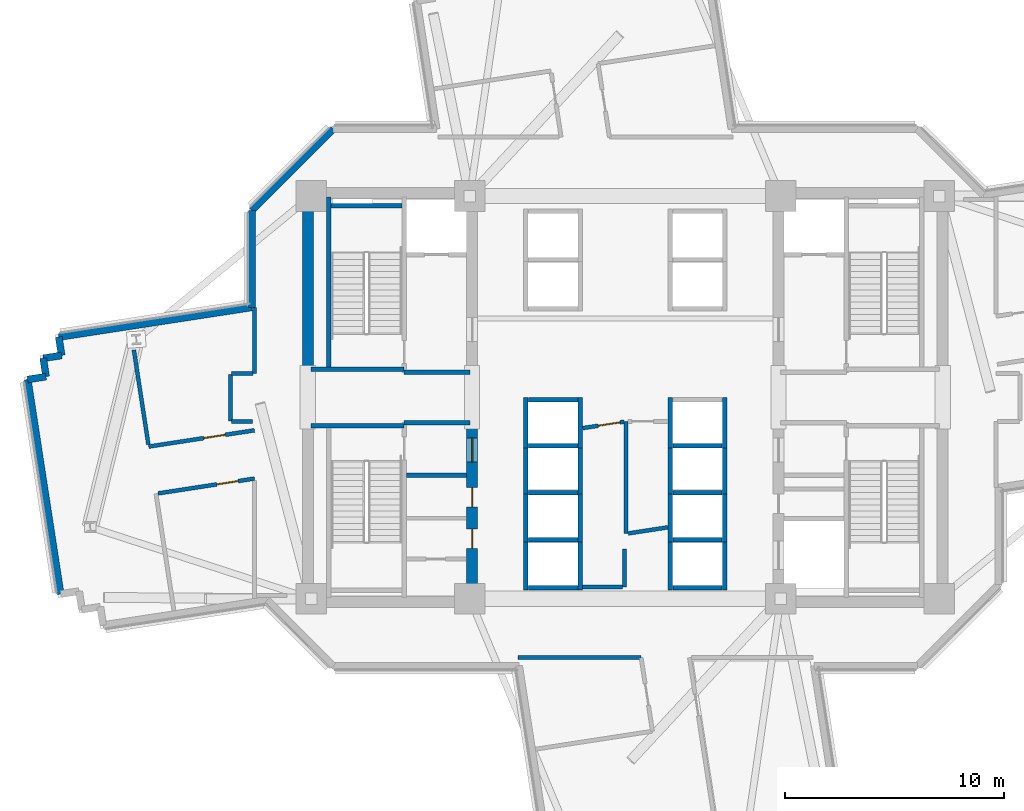
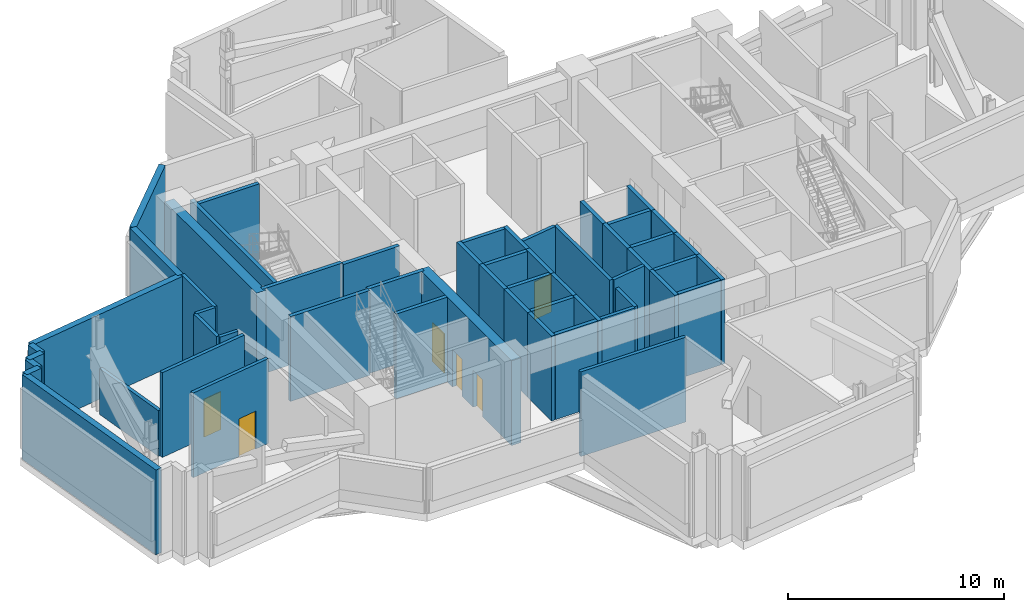
# One storey, part 3 of 10: 55 walls, 6 doors, 6 openings.
"""IFC4 building model written with IfcOpenShell, lengths in metres."""

from ifc_helpers import new_model, si_unit, direction, frame, frame_2d, origin, place, context, subcontext, project, spatial, rectangle, extrude, source, transform, mapped, material, layer, layer_set, type_object, element, fill, save


model = new_model("IFC4")

# Units and contexts
model_context = context("Model", 3, precision=1e-05, world=origin(), true_north=direction((0.0, 1.0)))
body_context = subcontext(model_context, "Body", "Model", "MODEL_VIEW")
ifc_project = project(units=[si_unit("LENGTHUNIT", "METRE"), si_unit("AREAUNIT", "SQUARE_METRE"), si_unit("VOLUMEUNIT", "CUBIC_METRE"), si_unit("PLANEANGLEUNIT", "RADIAN"), si_unit("MASSUNIT", "GRAM", prefix="KILO")], contexts=[model_context])

# Site, building, storey
site_placement = place(None, origin())
site = spatial("IfcSite", under=ifc_project, at=site_placement, CompositionType="ELEMENT")
building_placement = place(site_placement, origin())
building = spatial("IfcBuilding", under=site, at=building_placement, Name="Zahravan Cultural Tower", CompositionType="ELEMENT")
storey_placement = place(building_placement, frame((0.0, 0.0, 125.699951171875)))
storey = spatial("IfcBuildingStorey", under=building, at=storey_placement, Name="L28", CompositionType="ELEMENT", Elevation=125.699951171875)

# Wall, openings, doors
ifc_material_1 = material(Name="Concrete C60/75", Category="concrete")
ifc_layer_1 = layer(ifc_material_1, 0.5)
ifc_layer_set_1 = layer_set([ifc_layer_1], Name="Concrete C60/75")
wall_type_1 = type_object("IfcWallType", Name="CW-SHEAR-500-C60", PredefinedType="SHEAR", material=ifc_layer_set_1)
wall_1_placement = place(storey_placement, frame((29.0, 17.39990234375, 0.0), z_axis=(0.0, 0.0, 1.0), x_axis=(0.0, 1.0, 0.0)))
wall_1 = element("IfcWall", 1, at=wall_1_placement, inside=storey, type_object=wall_type_1, Name="L28 Core Shear Wall CW-W-ES-L28", PredefinedType="SHEAR", context=body_context, shape_type="SweptSolid", body=[
    extrude(rectangle(XDim=8.550048828125, YDim=0.5, at=frame_2d((4.27490234375, 0.0))), origin(), (0.0, 0.0, 1.0), 4.800048828125),
])
opening_1_placement = place(wall_1_placement, frame((6.64990234375, 0.0, 0.0)))
opening_1 = element("IfcOpeningElement", 2, at=opening_1_placement, cuts=wall_1, Name="Opening D-L28-07", PredefinedType="OPENING", context=body_context, shape_type="SweptSolid", body=[
    extrude(rectangle(XDim=1.10009765625, YDim=2.199951171875, at=frame_2d((0.550048828125, 1.10009765625))), frame((0.0, 0.260009765625, 0.0), z_axis=(0.0, -1.0, 0.0), x_axis=(1.0, 0.0, 0.0)), (0.0, 0.0, 1.0), 0.52001953125),
])
opening_2_placement = place(wall_1_placement, frame((2.699951171875, 0.0, 0.0)))
opening_2 = element("IfcOpeningElement", 3, at=opening_2_placement, cuts=wall_1, Name="Opening D-L28-10", PredefinedType="OPENING", context=body_context, shape_type="SweptSolid", body=[
    extrude(rectangle(XDim=0.8798828125, YDim=2.10009765625, at=frame_2d((0.43994140625, 1.050048828125))), frame((0.0, 0.260009765625, 0.0), z_axis=(0.0, -1.0, 0.0), x_axis=(1.0, 0.0, 0.0)), (0.0, 0.0, 1.0), 0.52001953125),
])
opening_3_placement = place(wall_1_placement, frame((4.60009765625, 0.0, 0.0)))
opening_3 = element("IfcOpeningElement", 4, at=opening_3_placement, cuts=wall_1, Name="Opening D-L28-11", PredefinedType="OPENING", context=body_context, shape_type="SweptSolid", body=[
    extrude(rectangle(XDim=0.8798828125, YDim=2.10009765625, at=frame_2d((0.43994140625, 1.050048828125))), frame((0.0, 0.260009765625, 0.0), z_axis=(0.0, -1.0, 0.0), x_axis=(1.0, 0.0, 0.0)), (0.0, 0.0, 1.0), 0.52001953125),
])
ifc_material_2 = material(Name="Steel ASTM A572 Grade 50", Category="steel")
door_type_1 = type_object("IfcDoorType", Name="DR-LOBBY-1100", OperationType="NOTDEFINED", PredefinedType="DOOR", material=ifc_material_2)
shared_shape_1 = source(origin(), body_context, "Body", "SweptSolid", [
    extrude(rectangle(XDim=1.10009765625, YDim=2.199951171875, at=frame_2d((0.550048828125, 1.10009765625))), frame((0.0, 0.02490234375, 0.0), z_axis=(0.0, -1.0, 0.0), x_axis=(1.0, 0.0, 0.0)), (0.0, 0.0, 1.0), 0.050048828125),
])
door_1_placement = place(opening_1_placement, origin())
door_1 = element("IfcDoor", 5, at=door_1_placement, inside=storey, type_object=door_type_1, Name="L28 Door D-L28-07", OperationType="SINGLE_SWING_RIGHT", OverallHeight=2.199951171875, OverallWidth=1.10009765625, PredefinedType="DOOR", context=body_context, shape_type="MappedRepresentation", body=[
    mapped(shared_shape_1, transform((0.0, 0.0, 0.0), x_axis=(1.0, 0.0, 0.0), y_axis=(0.0, 1.0, 0.0), z_axis=(0.0, 0.0, 1.0), scale=1.0)),
])
fill(opening_1, door_1)
door_type_2 = type_object("IfcDoorType", Name="DR-SVC-880", OperationType="NOTDEFINED", PredefinedType="DOOR", material=ifc_material_2)
shared_shape_2 = source(origin(), body_context, "Body", "SweptSolid", [
    extrude(rectangle(XDim=0.8798828125, YDim=2.10009765625, at=frame_2d((0.43994140625, 1.050048828125))), frame((0.0, 0.02490234375, 0.0), z_axis=(0.0, -1.0, 0.0), x_axis=(1.0, 0.0, 0.0)), (0.0, 0.0, 1.0), 0.050048828125),
])
door_2_placement = place(opening_2_placement, origin())
door_2 = element("IfcDoor", 6, at=door_2_placement, inside=storey, type_object=door_type_2, Name="L28 Door D-L28-10", OperationType="SINGLE_SWING_LEFT", OverallHeight=2.10009765625, OverallWidth=0.8798828125, PredefinedType="DOOR", context=body_context, shape_type="MappedRepresentation", body=[
    mapped(shared_shape_2, transform((0.0, 0.0, 0.0), x_axis=(1.0, 0.0, 0.0), y_axis=(0.0, 1.0, 0.0), z_axis=(0.0, 0.0, 1.0), scale=1.0)),
])
fill(opening_2, door_2)
door_3_placement = place(opening_3_placement, origin())
door_3 = element("IfcDoor", 7, at=door_3_placement, inside=storey, type_object=door_type_2, Name="L28 Door D-L28-11", OperationType="SINGLE_SWING_RIGHT", OverallHeight=2.10009765625, OverallWidth=0.8798828125, PredefinedType="DOOR", context=body_context, shape_type="MappedRepresentation", body=[
    mapped(shared_shape_2, transform((0.0, 0.0, 0.0), x_axis=(1.0, 0.0, 0.0), y_axis=(0.0, 1.0, 0.0), z_axis=(0.0, 0.0, 1.0), scale=1.0)),
])
fill(opening_3, door_3)

# Wall, opening, door
ifc_material_3 = material(Name="Gypsum plasterboard partition")
ifc_layer_2 = layer(ifc_material_3, 0.179931640625)
ifc_layer_set_2 = layer_set([ifc_layer_2], Name="Gypsum plasterboard partition")
wall_type_2 = type_object("IfcWallType", Name="W-COMP-180", PredefinedType="PARTITIONING", material=ifc_layer_set_2)
wall_2_placement = place(storey_placement, frame((34.054931640625, 25.59814453125, 0.0), z_axis=(0.0, 0.0, 1.0), x_axis=(0.988392351276, 0.15192287497, 0.0)))
wall_2 = element("IfcWall", 8, at=wall_2_placement, inside=storey, type_object=wall_type_2, Name="L28 Interior Wall 072", PredefinedType="PARTITIONING", context=body_context, shape_type="SweptSolid", body=[
    extrude(rectangle(XDim=1.912353515625, YDim=0.179931640625, at=frame_2d((0.9560546875, 0.0))), origin(), (0.0, 0.0, 1.0), 4.800048828125),
])
opening_4_placement = place(wall_2_placement, frame((0.7255859375, 0.0, 0.0)))
opening_4 = element("IfcOpeningElement", 9, at=opening_4_placement, cuts=wall_2, Name="Opening D-L28-21", PredefinedType="OPENING", context=body_context, shape_type="SweptSolid", body=[
    extrude(rectangle(XDim=1.0, YDim=2.14990234375, at=frame_2d((0.5, 1.074951171875))), frame((0.0, 0.099853515625, 0.0), z_axis=(0.0, -1.0, 0.0), x_axis=(1.0, 0.0, 0.0)), (0.0, 0.0, 1.0), 0.199951171875),
])
door_type_3 = type_object("IfcDoorType", Name="DR-COMP-1000", OperationType="NOTDEFINED", PredefinedType="DOOR", material=ifc_material_2)
shared_shape_3 = source(origin(), body_context, "Body", "SweptSolid", [
    extrude(rectangle(XDim=1.0, YDim=2.14990234375, at=frame_2d((0.5, 1.074951171875))), frame((0.0, 0.02490234375, 0.0), z_axis=(0.0, -1.0, 0.0), x_axis=(1.0, 0.0, 0.0)), (0.0, 0.0, 1.0), 0.050048828125),
])
door_4_placement = place(opening_4_placement, origin())
door_4 = element("IfcDoor", 10, at=door_4_placement, inside=storey, type_object=door_type_3, Name="L28 Door D-L28-21", OperationType="SINGLE_SWING_RIGHT", OverallHeight=2.14990234375, OverallWidth=1.0, PredefinedType="DOOR", context=body_context, shape_type="MappedRepresentation", body=[
    mapped(shared_shape_3, transform((0.0, 0.0, 0.0), x_axis=(1.0, 0.0, 0.0), y_axis=(0.0, 1.0, 0.0), z_axis=(0.0, 0.0, 1.0), scale=1.0)),
])
fill(opening_4, door_4)

wall_3_placement = place(storey_placement, frame((14.6533203125, 22.615478515625, 0.0), z_axis=(0.0, 0.0, 1.0), x_axis=(0.988387518399, 0.15195431377, 0.0)))
wall_3 = element("IfcWall", 11, at=wall_3_placement, inside=storey, type_object=wall_type_2, Name="L28 Interior Wall 089", PredefinedType="PARTITIONING", context=body_context, shape_type="SweptSolid", body=[
    extrude(rectangle(XDim=4.45849609375, YDim=0.179931640625, at=frame_2d((2.229248046875, 0.0))), origin(), (0.0, 0.0, 1.0), 4.800048828125),
])
opening_5_placement = place(wall_3_placement, frame((2.71142578125, 0.0, 0.0)))
opening_5 = element("IfcOpeningElement", 12, at=opening_5_placement, cuts=wall_3, Name="Opening D-L28-17", PredefinedType="OPENING", context=body_context, shape_type="SweptSolid", body=[
    extrude(rectangle(XDim=1.0, YDim=2.14990234375, at=frame_2d((0.5, 1.074951171875))), frame((0.0, 0.099853515625, 0.0), z_axis=(0.0, -1.0, 0.0), x_axis=(1.0, 0.0, 0.0)), (0.0, 0.0, 1.0), 0.199951171875),
])
door_5_placement = place(opening_5_placement, origin())
door_5 = element("IfcDoor", 13, at=door_5_placement, inside=storey, type_object=door_type_3, Name="L28 Door D-L28-17", OperationType="SINGLE_SWING_RIGHT", OverallHeight=2.14990234375, OverallWidth=1.0, PredefinedType="DOOR", context=body_context, shape_type="MappedRepresentation", body=[
    mapped(shared_shape_3, transform((0.0, 0.0, 0.0), x_axis=(1.0, 0.0, 0.0), y_axis=(0.0, 1.0, 0.0), z_axis=(0.0, 0.0, 1.0), scale=1.0)),
])
fill(opening_5, door_5)

wall_4_placement = place(storey_placement, frame((19.06005859375, 25.49853515625, 0.0), z_axis=(0.0, 0.0, 1.0), x_axis=(-0.988384973027, -0.15197086923, 0.0)))
wall_4 = element("IfcWall", 14, at=wall_4_placement, inside=storey, type_object=wall_type_2, Name="L28 Interior Wall 098", PredefinedType="PARTITIONING", context=body_context, shape_type="SweptSolid", body=[
    extrude(rectangle(XDim=4.888671875, YDim=0.179931640625, at=frame_2d((2.4443359375, 0.0))), origin(), (0.0, 0.0, 1.0), 4.800048828125),
])
opening_6_placement = place(wall_4_placement, frame((1.353515625, 0.0, 0.0)))
opening_6 = element("IfcOpeningElement", 15, at=opening_6_placement, cuts=wall_4, Name="Opening D-L28-18", PredefinedType="OPENING", context=body_context, shape_type="SweptSolid", body=[
    extrude(rectangle(XDim=1.0, YDim=2.14990234375, at=frame_2d((0.5, 1.074951171875))), frame((0.0, 0.099853515625, 0.0), z_axis=(0.0, -1.0, 0.0), x_axis=(1.0, 0.0, 0.0)), (0.0, 0.0, 1.0), 0.199951171875),
])
door_6_placement = place(opening_6_placement, origin())
door_6 = element("IfcDoor", 16, at=door_6_placement, inside=storey, type_object=door_type_3, Name="L28 Door D-L28-18", OperationType="SINGLE_SWING_LEFT", OverallHeight=2.14990234375, OverallWidth=1.0, PredefinedType="DOOR", context=body_context, shape_type="MappedRepresentation", body=[
    mapped(shared_shape_3, transform((0.0, 0.0, 0.0), x_axis=(1.0, 0.0, 0.0), y_axis=(0.0, 1.0, 0.0), z_axis=(0.0, 0.0, 1.0), scale=1.0)),
])
fill(opening_6, door_6)

# Walls
shared_shape_4 = source(origin(), body_context, "Body", "SweptSolid", [
    extrude(rectangle(XDim=8.550048828125, YDim=0.5, at=frame_2d((4.27490234375, 0.0))), origin(), (0.0, 0.0, 1.0), 4.800048828125),
])
wall_5_placement = place(storey_placement, frame((21.5, 28.050048828125, 0.0), z_axis=(0.0, 0.0, 1.0), x_axis=(0.0, 1.0, 0.0)))
element("IfcWall", 17, at=wall_5_placement, inside=storey, type_object=wall_type_1, Name="L28 Core Shear Wall CW-W-WN-L28", PredefinedType="SHEAR", context=body_context, shape_type="MappedRepresentation", body=[
    mapped(shared_shape_4, transform((0.0, 0.0, 0.0), x_axis=(1.0, 0.0, 0.0), y_axis=(0.0, 1.0, 0.0), z_axis=(0.0, 0.0, 1.0), scale=1.0)),
])
ifc_material_4 = material(Name="Precast concrete C40/50", Category="concrete")
ifc_layer_3 = layer(ifc_material_4, 0.320068359375)
ifc_layer_set_3 = layer_set([ifc_layer_3], Name="Precast concrete C40/50")
wall_type_3 = type_object("IfcWallType", Name="EW-TC-320", PredefinedType="SOLIDWALL", material=ifc_layer_set_3)
shared_shape_5 = source(origin(), body_context, "Body", "SweptSolid", [
    extrude(rectangle(XDim=0.849853515625, YDim=0.320068359375, at=frame_2d((0.4248046875, 0.0))), origin(), (0.0, 0.0, 1.0), 4.800048828125),
])
for number, where, z_axis, x_axis, name in (
    (18, (8.6982421875, 27.821044921875, 0.0), (0.0, 0.0, 1.0), (0.98838829515, 0.1519492613, 0.0), "L28 Exterior Masonry Frame Wall 34"),
    (19, (9.538330078125, 27.9501953125, 0.0), (0.0, 0.0, 1.0), (-0.1519492613, 0.98838829515, 0.0), "L28 Exterior Masonry Frame Wall 35"),
):
    element("IfcWall", number, at=place(storey_placement, frame(where, z_axis=z_axis, x_axis=x_axis)), inside=storey, type_object=wall_type_3, Name=name, PredefinedType="SOLIDWALL", context=body_context, shape_type="MappedRepresentation", body=[
        mapped(shared_shape_5, transform((0.0, 0.0, 0.0), x_axis=(1.0, 0.0, 0.0), y_axis=(0.0, 1.0, 0.0), z_axis=(0.0, 0.0, 1.0), scale=1.0)),
    ])
shared_shape_6 = source(origin(), body_context, "Body", "SweptSolid", [
    extrude(rectangle(XDim=0.85009765625, YDim=0.320068359375, at=frame_2d((0.425048828125, 0.0))), origin(), (0.0, 0.0, 1.0), 4.800048828125),
])
for number, where, z_axis, x_axis, name in (
    (20, (9.4091796875, 28.790283203125, 0.0), (0.0, 0.0, 1.0), (0.98839492426, 0.151906134495, 0.0), "L28 Exterior Masonry Frame Wall 36"),
    (21, (10.24951171875, 28.91943359375, 0.0), (0.0, 0.0, 1.0), (-0.152229849666, 0.988345118302, 0.0), "L28 Exterior Masonry Frame Wall 37"),
):
    element("IfcWall", number, at=place(storey_placement, frame(where, z_axis=z_axis, x_axis=x_axis)), inside=storey, type_object=wall_type_3, Name=name, PredefinedType="SOLIDWALL", context=body_context, shape_type="MappedRepresentation", body=[
        mapped(shared_shape_6, transform((0.0, 0.0, 0.0), x_axis=(1.0, 0.0, 0.0), y_axis=(0.0, 1.0, 0.0), z_axis=(0.0, 0.0, 1.0), scale=1.0)),
    ])
shared_shape_7 = source(origin(), body_context, "Body", "SweptSolid", [
    extrude(rectangle(XDim=9.920166015625, YDim=0.320068359375, at=frame_2d((4.9599609375, 0.0))), origin(), (0.0, 0.0, 1.0), 4.800048828125),
])
wall_6_placement = place(storey_placement, frame((10.20556640625, 18.01611328125, 0.0), z_axis=(0.0, 0.0, 1.0), x_axis=(-0.151946221933, 0.988388762401, 0.0)))
element("IfcWall", 22, at=wall_6_placement, inside=storey, type_object=wall_type_3, Name="L28 Exterior Masonry Frame Wall 33", PredefinedType="SOLIDWALL", context=body_context, shape_type="MappedRepresentation", body=[
    mapped(shared_shape_7, transform((0.0, 0.0, 0.0), x_axis=(1.0, 0.0, 0.0), y_axis=(0.0, 1.0, 0.0), z_axis=(0.0, 0.0, 1.0), scale=1.0)),
])
shared_shape_8 = source(origin(), body_context, "Body", "SweptSolid", [
    extrude(rectangle(XDim=8.92333984375, YDim=0.320068359375, at=frame_2d((4.461669921875, 0.0))), origin(), (0.0, 0.0, 1.0), 4.800048828125),
])
wall_7_placement = place(storey_placement, frame((10.1201171875, 29.759521484375, 0.0), z_axis=(0.0, 0.0, 1.0), x_axis=(0.988387507016, 0.151954387808, 0.0)))
element("IfcWall", 23, at=wall_7_placement, inside=storey, type_object=wall_type_3, Name="L28 Exterior Masonry Frame Wall 38", PredefinedType="SOLIDWALL", context=body_context, shape_type="MappedRepresentation", body=[
    mapped(shared_shape_8, transform((0.0, 0.0, 0.0), x_axis=(1.0, 0.0, 0.0), y_axis=(0.0, 1.0, 0.0), z_axis=(0.0, 0.0, 1.0), scale=1.0)),
])
shared_shape_9 = source(origin(), body_context, "Body", "SweptSolid", [
    extrude(rectangle(XDim=4.426513671875, YDim=0.320068359375, at=frame_2d((2.21337890625, 0.0))), origin(), (0.0, 0.0, 1.0), 4.800048828125),
])
wall_8_placement = place(storey_placement, frame((18.93994140625, 31.115478515625, 0.0), z_axis=(0.0, 0.0, 1.0), x_axis=(0.0, 1.0, 0.0)))
element("IfcWall", 24, at=wall_8_placement, inside=storey, type_object=wall_type_3, Name="L28 Exterior Masonry Frame Wall 39", PredefinedType="SOLIDWALL", context=body_context, shape_type="MappedRepresentation", body=[
    mapped(shared_shape_9, transform((0.0, 0.0, 0.0), x_axis=(1.0, 0.0, 0.0), y_axis=(0.0, 1.0, 0.0), z_axis=(0.0, 0.0, 1.0), scale=1.0)),
])
shared_shape_10 = source(origin(), body_context, "Body", "SweptSolid", [
    extrude(rectangle(XDim=5.258056640625, YDim=0.320068359375, at=frame_2d((2.62890625, 0.0))), origin(), (0.0, 0.0, 1.0), 4.800048828125),
])
wall_9_placement = place(storey_placement, frame((18.93994140625, 35.5419921875, 0.0), z_axis=(0.0, 0.0, 1.0), x_axis=(0.707106781187, 0.707106781187, 0.0)))
element("IfcWall", 25, at=wall_9_placement, inside=storey, type_object=wall_type_3, Name="L28 Exterior Masonry Frame Wall 40", PredefinedType="SOLIDWALL", context=body_context, shape_type="MappedRepresentation", body=[
    mapped(shared_shape_10, transform((0.0, 0.0, 0.0), x_axis=(1.0, 0.0, 0.0), y_axis=(0.0, 1.0, 0.0), z_axis=(0.0, 0.0, 1.0), scale=1.0)),
])
ifc_material_5 = material(Name="Concrete C45/55", Category="concrete")
ifc_layer_4 = layer(ifc_material_5, 0.199951171875)
ifc_layer_set_4 = layer_set([ifc_layer_4], Name="Concrete C45/55")
wall_type_4 = type_object("IfcWallType", Name="W-SHAFT-200", PredefinedType="SOLIDWALL", material=ifc_layer_set_4)
shared_shape_11 = source(origin(), body_context, "Body", "SweptSolid", [
    extrude(rectangle(XDim=7.869873046875, YDim=0.199951171875, at=frame_2d((3.93505859375, 0.0))), origin(), (0.0, 0.0, 1.0), 4.800048828125),
])
wall_10_placement = place(storey_placement, frame((22.449951171875, 28.280029296875, 0.0), z_axis=(0.0, 0.0, 1.0), x_axis=(0.0, 1.0, 0.0)))
element("IfcWall", 26, at=wall_10_placement, inside=storey, type_object=wall_type_4, Name="L28 Interior Wall 002", PredefinedType="SOLIDWALL", context=body_context, shape_type="MappedRepresentation", body=[
    mapped(shared_shape_11, transform((0.0, 0.0, 0.0), x_axis=(1.0, 0.0, 0.0), y_axis=(0.0, 1.0, 0.0), z_axis=(0.0, 0.0, 1.0), scale=1.0)),
])
shared_shape_12 = source(origin(), body_context, "Body", "SweptSolid", [
    extrude(rectangle(XDim=4.25, YDim=0.199951171875, at=frame_2d((2.125, 0.0))), origin(), (0.0, 0.0, 1.0), 4.800048828125),
])
for number, where, z_axis, x_axis, name in (
    (27, (21.64990234375, 25.715087890625, 0.0), (0.0, 0.0, 1.0), (1.0, 0.0, 0.0), "L28 Interior Wall 009"),
    (28, (21.64990234375, 28.284912109375, 0.0), (0.0, 0.0, 1.0), (1.0, 0.0, 0.0), "L28 Interior Wall 011"),
):
    element("IfcWall", number, at=place(storey_placement, frame(where, z_axis=z_axis, x_axis=x_axis)), inside=storey, type_object=wall_type_4, Name=name, PredefinedType="SOLIDWALL", context=body_context, shape_type="MappedRepresentation", body=[
        mapped(shared_shape_12, transform((0.0, 0.0, 0.0), x_axis=(1.0, 0.0, 0.0), y_axis=(0.0, 1.0, 0.0), z_axis=(0.0, 0.0, 1.0), scale=1.0)),
    ])
shared_shape_13 = source(origin(), body_context, "Body", "SweptSolid", [
    extrude(rectangle(XDim=3.0, YDim=0.199951171875, at=frame_2d((1.5, 0.0))), origin(), (0.0, 0.0, 1.0), 4.800048828125),
])
for number, where, z_axis, x_axis, name in (
    (29, (25.89990234375, 25.85009765625, 0.0), (0.0, 0.0, 1.0), (1.0, 0.0, 0.0), "L28 Interior Wall 010"),
    (30, (25.89990234375, 28.14990234375, 0.0), (0.0, 0.0, 1.0), (1.0, 0.0, 0.0), "L28 Interior Wall 012"),
):
    element("IfcWall", number, at=place(storey_placement, frame(where, z_axis=z_axis, x_axis=x_axis)), inside=storey, type_object=wall_type_4, Name=name, PredefinedType="SOLIDWALL", context=body_context, shape_type="MappedRepresentation", body=[
        mapped(shared_shape_13, transform((0.0, 0.0, 0.0), x_axis=(1.0, 0.0, 0.0), y_axis=(0.0, 1.0, 0.0), z_axis=(0.0, 0.0, 1.0), scale=1.0)),
    ])
shared_shape_14 = source(origin(), body_context, "Body", "SweptSolid", [
    extrude(rectangle(XDim=3.25, YDim=0.199951171875, at=frame_2d((1.625, 0.0))), origin(), (0.0, 0.0, 1.0), 4.800048828125),
])
wall_11_placement = place(storey_placement, frame((22.550048828125, 35.75, 0.0), z_axis=(0.0, 0.0, 1.0), x_axis=(1.0, 0.0, 0.0)))
element("IfcWall", 31, at=wall_11_placement, inside=storey, type_object=wall_type_4, Name="L28 Interior Wall 017", PredefinedType="SOLIDWALL", context=body_context, shape_type="MappedRepresentation", body=[
    mapped(shared_shape_14, transform((0.0, 0.0, 0.0), x_axis=(1.0, 0.0, 0.0), y_axis=(0.0, 1.0, 0.0), z_axis=(0.0, 0.0, 1.0), scale=1.0)),
])
shared_shape_15 = source(origin(), body_context, "Body", "SweptSolid", [
    extrude(rectangle(XDim=2.75, YDim=0.199951171875, at=frame_2d((1.375, 0.0))), origin(), (0.0, 0.0, 1.0), 4.800048828125),
])
wall_12_placement = place(storey_placement, frame((26.0, 23.449951171875, 0.0), z_axis=(0.0, 0.0, 1.0), x_axis=(1.0, 0.0, 0.0)))
element("IfcWall", 32, at=wall_12_placement, inside=storey, type_object=wall_type_4, Name="L28 Interior Wall 023", PredefinedType="SOLIDWALL", context=body_context, shape_type="MappedRepresentation", body=[
    mapped(shared_shape_15, transform((0.0, 0.0, 0.0), x_axis=(1.0, 0.0, 0.0), y_axis=(0.0, 1.0, 0.0), z_axis=(0.0, 0.0, 1.0), scale=1.0)),
])
shared_shape_16 = source(origin(), body_context, "Body", "SweptSolid", [
    extrude(rectangle(XDim=2.260009765625, YDim=0.199951171875, at=frame_2d((1.1298828125, 0.0))), origin(), (0.0, 0.0, 1.0), 4.800048828125),
])
for number, where, z_axis, x_axis, name in (
    (33, (31.570068359375, 20.5, 0.0), (0.0, 0.0, 1.0), (1.0, 0.0, 0.0), "L28 Interior Wall 045"),
    (34, (31.570068359375, 22.64990234375, 0.0), (0.0, 0.0, 1.0), (1.0, 0.0, 0.0), "L28 Interior Wall 046"),
    (35, (31.570068359375, 18.300048828125, 0.0), (0.0, 0.0, 1.0), (1.0, 0.0, 0.0), "L28 Interior Wall 049"),
    (36, (38.169921875, 20.5, 0.0), (0.0, 0.0, 1.0), (1.0, 0.0, 0.0), "L28 Interior Wall 052"),
    (37, (38.169921875, 22.64990234375, 0.0), (0.0, 0.0, 1.0), (1.0, 0.0, 0.0), "L28 Interior Wall 053"),
    (38, (38.169921875, 18.300048828125, 0.0), (0.0, 0.0, 1.0), (1.0, 0.0, 0.0), "L28 Interior Wall 056"),
    (39, (31.570068359375, 24.800048828125, 0.0), (0.0, 0.0, 1.0), (1.0, 0.0, 0.0), "L28 Interior Wall 059"),
    (40, (31.570068359375, 26.89990234375, 0.0), (0.0, 0.0, 1.0), (1.0, 0.0, 0.0), "L28 Interior Wall 060"),
    (41, (38.169921875, 24.800048828125, 0.0), (0.0, 0.0, 1.0), (1.0, 0.0, 0.0), "L28 Interior Wall 065"),
):
    element("IfcWall", number, at=place(storey_placement, frame(where, z_axis=z_axis, x_axis=x_axis)), inside=storey, type_object=wall_type_4, Name=name, PredefinedType="SOLIDWALL", context=body_context, shape_type="MappedRepresentation", body=[
        mapped(shared_shape_16, transform((0.0, 0.0, 0.0), x_axis=(1.0, 0.0, 0.0), y_axis=(0.0, 1.0, 0.0), z_axis=(0.0, 0.0, 1.0), scale=1.0)),
    ])
shared_shape_17 = source(origin(), body_context, "Body", "SweptSolid", [
    extrude(rectangle(XDim=2.35009765625, YDim=0.199951171875, at=frame_2d((1.175048828125, 0.0))), origin(), (0.0, 0.0, 1.0), 4.800048828125),
])
for number, where, z_axis, x_axis, name in (
    (42, (31.449951171875, 20.39990234375, 0.0), (0.0, 0.0, 1.0), (0.0, 1.0, 0.0), "L28 Interior Wall 043"),
    (43, (33.949951171875, 20.39990234375, 0.0), (0.0, 0.0, 1.0), (0.0, 1.0, 0.0), "L28 Interior Wall 044"),
    (44, (31.449951171875, 18.199951171875, 0.0), (0.0, 0.0, 1.0), (0.0, 1.0, 0.0), "L28 Interior Wall 047"),
    (45, (33.949951171875, 18.199951171875, 0.0), (0.0, 0.0, 1.0), (0.0, 1.0, 0.0), "L28 Interior Wall 048"),
    (46, (38.050048828125, 20.39990234375, 0.0), (0.0, 0.0, 1.0), (0.0, 1.0, 0.0), "L28 Interior Wall 050"),
    (47, (40.550048828125, 20.39990234375, 0.0), (0.0, 0.0, 1.0), (0.0, 1.0, 0.0), "L28 Interior Wall 051"),
    (48, (38.050048828125, 18.199951171875, 0.0), (0.0, 0.0, 1.0), (0.0, 1.0, 0.0), "L28 Interior Wall 054"),
    (49, (40.550048828125, 18.199951171875, 0.0), (0.0, 0.0, 1.0), (0.0, 1.0, 0.0), "L28 Interior Wall 055"),
):
    element("IfcWall", number, at=place(storey_placement, frame(where, z_axis=z_axis, x_axis=x_axis)), inside=storey, type_object=wall_type_4, Name=name, PredefinedType="SOLIDWALL", context=body_context, shape_type="MappedRepresentation", body=[
        mapped(shared_shape_17, transform((0.0, 0.0, 0.0), x_axis=(1.0, 0.0, 0.0), y_axis=(0.0, 1.0, 0.0), z_axis=(0.0, 0.0, 1.0), scale=1.0)),
    ])
shared_shape_18 = source(origin(), body_context, "Body", "SweptSolid", [
    extrude(rectangle(XDim=2.300048828125, YDim=0.199951171875, at=frame_2d((1.14990234375, 0.0))), origin(), (0.0, 0.0, 1.0), 4.800048828125),
])
for number, where, z_axis, x_axis, name in (
    (50, (31.449951171875, 24.699951171875, 0.0), (0.0, 0.0, 1.0), (0.0, 1.0, 0.0), "L28 Interior Wall 057"),
    (51, (33.949951171875, 24.699951171875, 0.0), (0.0, 0.0, 1.0), (0.0, 1.0, 0.0), "L28 Interior Wall 058"),
    (52, (38.050048828125, 24.699951171875, 0.0), (0.0, 0.0, 1.0), (0.0, 1.0, 0.0), "L28 Interior Wall 063"),
    (53, (40.550048828125, 24.699951171875, 0.0), (0.0, 0.0, 1.0), (0.0, 1.0, 0.0), "L28 Interior Wall 064"),
):
    element("IfcWall", number, at=place(storey_placement, frame(where, z_axis=z_axis, x_axis=x_axis)), inside=storey, type_object=wall_type_4, Name=name, PredefinedType="SOLIDWALL", context=body_context, shape_type="MappedRepresentation", body=[
        mapped(shared_shape_18, transform((0.0, 0.0, 0.0), x_axis=(1.0, 0.0, 0.0), y_axis=(0.0, 1.0, 0.0), z_axis=(0.0, 0.0, 1.0), scale=1.0)),
    ])
shared_shape_19 = source(origin(), body_context, "Body", "SweptSolid", [
    extrude(rectangle(XDim=2.2998046875, YDim=0.199951171875, at=frame_2d((1.14990234375, 0.0))), origin(), (0.0, 0.0, 1.0), 4.800048828125),
])
for number, where, z_axis, x_axis, name in (
    (54, (31.449951171875, 22.60009765625, 0.0), (0.0, 0.0, 1.0), (0.0, 1.0, 0.0), "L28 Interior Wall 061"),
    (55, (33.949951171875, 22.60009765625, 0.0), (0.0, 0.0, 1.0), (0.0, 1.0, 0.0), "L28 Interior Wall 062"),
    (56, (38.050048828125, 22.60009765625, 0.0), (0.0, 0.0, 1.0), (0.0, 1.0, 0.0), "L28 Interior Wall 067"),
    (57, (40.550048828125, 22.60009765625, 0.0), (0.0, 0.0, 1.0), (0.0, 1.0, 0.0), "L28 Interior Wall 068"),
):
    element("IfcWall", number, at=place(storey_placement, frame(where, z_axis=z_axis, x_axis=x_axis)), inside=storey, type_object=wall_type_4, Name=name, PredefinedType="SOLIDWALL", context=body_context, shape_type="MappedRepresentation", body=[
        mapped(shared_shape_19, transform((0.0, 0.0, 0.0), x_axis=(1.0, 0.0, 0.0), y_axis=(0.0, 1.0, 0.0), z_axis=(0.0, 0.0, 1.0), scale=1.0)),
    ])
shared_shape_20 = source(origin(), body_context, "Body", "SweptSolid", [
    extrude(rectangle(XDim=5.13623046875, YDim=0.179931640625, at=frame_2d((2.568115234375, 0.0))), origin(), (0.0, 0.0, 1.0), 4.800048828125),
])
wall_13_placement = place(storey_placement, frame((36.0400390625, 20.773681640625, 0.0), z_axis=(0.0, 0.0, 1.0), x_axis=(0.0, 1.0, 0.0)))
element("IfcWall", 58, at=wall_13_placement, inside=storey, type_object=wall_type_2, Name="L28 Interior Wall 069", PredefinedType="PARTITIONING", context=body_context, shape_type="MappedRepresentation", body=[
    mapped(shared_shape_20, transform((0.0, 0.0, 0.0), x_axis=(1.0, 0.0, 0.0), y_axis=(0.0, 1.0, 0.0), z_axis=(0.0, 0.0, 1.0), scale=1.0)),
])
shared_shape_21 = source(origin(), body_context, "Body", "SweptSolid", [
    extrude(rectangle(XDim=1.831298828125, YDim=0.179931640625, at=frame_2d((0.91552734375, 0.0))), origin(), (0.0, 0.0, 1.0), 4.800048828125),
])
wall_14_placement = place(storey_placement, frame((37.945068359375, 21.066650390625, 0.0), z_axis=(0.0, 0.0, 1.0), x_axis=(-0.988384023945, -0.151977041718, 0.0)))
element("IfcWall", 59, at=wall_14_placement, inside=storey, type_object=wall_type_2, Name="L28 Interior Wall 071", PredefinedType="PARTITIONING", context=body_context, shape_type="MappedRepresentation", body=[
    mapped(shared_shape_21, transform((0.0, 0.0, 0.0), x_axis=(1.0, 0.0, 0.0), y_axis=(0.0, 1.0, 0.0), z_axis=(0.0, 0.0, 1.0), scale=1.0)),
])
shared_shape_22 = source(origin(), body_context, "Body", "SweptSolid", [
    extrude(rectangle(XDim=1.74658203125, YDim=0.179931640625, at=frame_2d((0.873291015625, 0.0))), origin(), (0.0, 0.0, 1.0), 4.800048828125),
])
wall_15_placement = place(storey_placement, frame((35.9599609375, 20.086669921875, 0.0), z_axis=(0.0, 0.0, 1.0), x_axis=(0.0, -1.0, 0.0)))
element("IfcWall", 60, at=wall_15_placement, inside=storey, type_object=wall_type_2, Name="L28 Interior Wall 073", PredefinedType="PARTITIONING", context=body_context, shape_type="MappedRepresentation", body=[
    mapped(shared_shape_22, transform((0.0, 0.0, 0.0), x_axis=(1.0, 0.0, 0.0), y_axis=(0.0, 1.0, 0.0), z_axis=(0.0, 0.0, 1.0), scale=1.0)),
])
shared_shape_23 = source(origin(), body_context, "Body", "SweptSolid", [
    extrude(rectangle(XDim=1.81005859375, YDim=0.179931640625, at=frame_2d((0.905029296875, 0.0))), origin(), (0.0, 0.0, 1.0), 4.800048828125),
])
wall_16_placement = place(storey_placement, frame((35.864990234375, 18.340087890625, 0.0), z_axis=(0.0, 0.0, 1.0), x_axis=(-1.0, 0.0, 0.0)))
element("IfcWall", 61, at=wall_16_placement, inside=storey, type_object=wall_type_2, Name="L28 Interior Wall 074", PredefinedType="PARTITIONING", context=body_context, shape_type="MappedRepresentation", body=[
    mapped(shared_shape_23, transform((0.0, 0.0, 0.0), x_axis=(1.0, 0.0, 0.0), y_axis=(0.0, 1.0, 0.0), z_axis=(0.0, 0.0, 1.0), scale=1.0)),
])
shared_shape_24 = source(origin(), body_context, "Body", "SweptSolid", [
    extrude(rectangle(XDim=5.635498046875, YDim=0.179931640625, at=frame_2d((2.81787109375, 0.0))), origin(), (0.0, 0.0, 1.0), 4.800048828125),
])
wall_17_placement = place(storey_placement, frame((31.089599609375, 15.110107421875, 0.0), z_axis=(0.0, 0.0, 1.0), x_axis=(1.0, 0.0, 0.0)))
element("IfcWall", 62, at=wall_17_placement, inside=storey, type_object=wall_type_2, Name="L28 Interior Wall 082", PredefinedType="PARTITIONING", context=body_context, shape_type="MappedRepresentation", body=[
    mapped(shared_shape_24, transform((0.0, 0.0, 0.0), x_axis=(1.0, 0.0, 0.0), y_axis=(0.0, 1.0, 0.0), z_axis=(0.0, 0.0, 1.0), scale=1.0)),
])
shared_shape_25 = source(origin(), body_context, "Body", "SweptSolid", [
    extrude(rectangle(XDim=3.025390625, YDim=0.179931640625, at=frame_2d((1.5126953125, 0.0))), origin(), (0.0, 0.0, 1.0), 4.800048828125),
])
wall_18_placement = place(storey_placement, frame((19.06005859375, 31.115478515625, 0.0), z_axis=(0.0, 0.0, 1.0), x_axis=(0.0, -1.0, 0.0)))
element("IfcWall", 63, at=wall_18_placement, inside=storey, type_object=wall_type_2, Name="L28 Interior Wall 100", PredefinedType="PARTITIONING", context=body_context, shape_type="MappedRepresentation", body=[
    mapped(shared_shape_25, transform((0.0, 0.0, 0.0), x_axis=(1.0, 0.0, 0.0), y_axis=(0.0, 1.0, 0.0), z_axis=(0.0, 0.0, 1.0), scale=1.0)),
])
shared_shape_26 = source(origin(), body_context, "Body", "SweptSolid", [
    extrude(rectangle(XDim=1.0009765625, YDim=0.179931640625, at=frame_2d((0.50048828125, 0.0))), origin(), (0.0, 0.0, 1.0), 4.800048828125),
])
wall_19_placement = place(storey_placement, frame((19.0, 28.090087890625, 0.0), z_axis=(0.0, 0.0, 1.0), x_axis=(-0.999999881023, -0.00048780482, 0.0)))
element("IfcWall", 64, at=wall_19_placement, inside=storey, type_object=wall_type_2, Name="L28 Interior Wall 101", PredefinedType="PARTITIONING", context=body_context, shape_type="MappedRepresentation", body=[
    mapped(shared_shape_26, transform((0.0, 0.0, 0.0), x_axis=(1.0, 0.0, 0.0), y_axis=(0.0, 1.0, 0.0), z_axis=(0.0, 0.0, 1.0), scale=1.0)),
])
shared_shape_27 = source(origin(), body_context, "Body", "SweptSolid", [
    extrude(rectangle(XDim=4.369384765625, YDim=0.179931640625, at=frame_2d((2.1845703125, 0.0))), origin(), (0.0, 0.0, 1.0), 2.592041015625),
])
wall_20_placement = place(storey_placement, frame((14.2138671875, 24.849609375, 0.0), z_axis=(0.0, 0.0, 1.0), x_axis=(-0.151981606421, 0.988383322052, 0.0)))
element("IfcWall", 65, at=wall_20_placement, inside=storey, type_object=wall_type_2, Name="L28 Interior Wall 099", PredefinedType="PARTITIONING", context=body_context, shape_type="MappedRepresentation", body=[
    mapped(shared_shape_27, transform((0.0, 0.0, 0.0), x_axis=(1.0, 0.0, 0.0), y_axis=(0.0, 1.0, 0.0), z_axis=(0.0, 0.0, 1.0), scale=1.0)),
])
shared_shape_28 = source(origin(), body_context, "Body", "SweptSolid", [
    extrude(rectangle(XDim=2.110595703125, YDim=0.179931640625, at=frame_2d((1.05517578125, 0.0))), origin(), (0.0, 0.0, 1.0), 4.800048828125),
])
wall_21_placement = place(storey_placement, frame((17.9599609375, 28.044189453125, 0.0), z_axis=(0.0, 0.0, 1.0), x_axis=(0.002082123885, -0.999997832378, 0.0)))
element("IfcWall", 66, at=wall_21_placement, inside=storey, type_object=wall_type_2, Name="L28 Interior Wall 102", PredefinedType="PARTITIONING", context=body_context, shape_type="MappedRepresentation", body=[
    mapped(shared_shape_28, transform((0.0, 0.0, 0.0), x_axis=(1.0, 0.0, 0.0), y_axis=(0.0, 1.0, 0.0), z_axis=(0.0, 0.0, 1.0), scale=1.0)),
])
shared_shape_29 = source(origin(), body_context, "Body", "SweptSolid", [
    extrude(rectangle(XDim=0.97216796875, YDim=0.179931640625, at=frame_2d((0.486083984375, 0.0))), origin(), (0.0, 0.0, 1.0), 4.800048828125),
])
wall_22_placement = place(storey_placement, frame((18.00048828125, 25.910400390625, 0.0), z_axis=(0.0, 0.0, 1.0), x_axis=(0.999999873867, -0.000502260107, 0.0)))
element("IfcWall", 67, at=wall_22_placement, inside=storey, type_object=wall_type_2, Name="L28 Interior Wall 103", PredefinedType="PARTITIONING", context=body_context, shape_type="MappedRepresentation", body=[
    mapped(shared_shape_29, transform((0.0, 0.0, 0.0), x_axis=(1.0, 0.0, 0.0), y_axis=(0.0, 1.0, 0.0), z_axis=(0.0, 0.0, 1.0), scale=1.0)),
])

save(model, "model.ifc")
